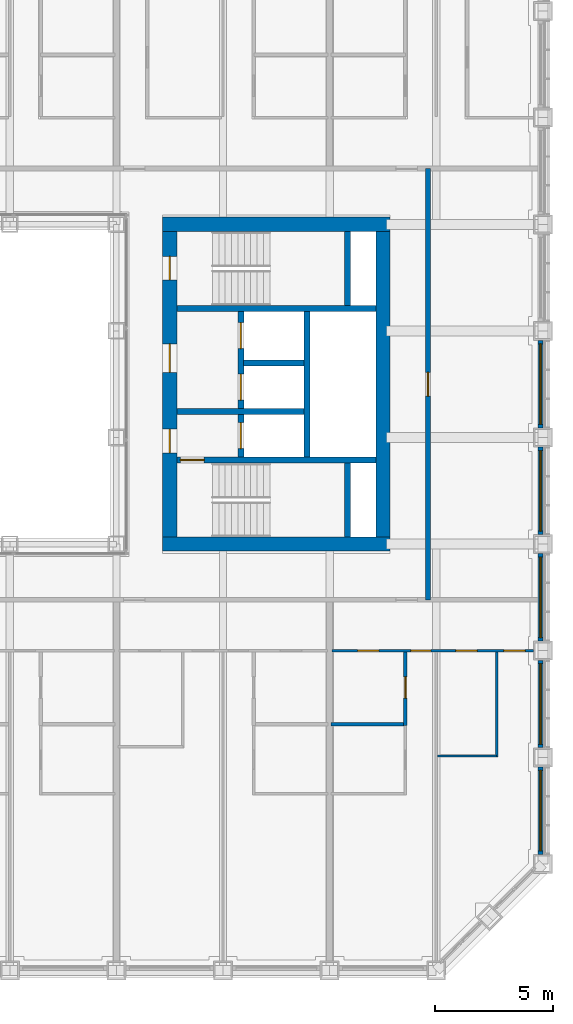
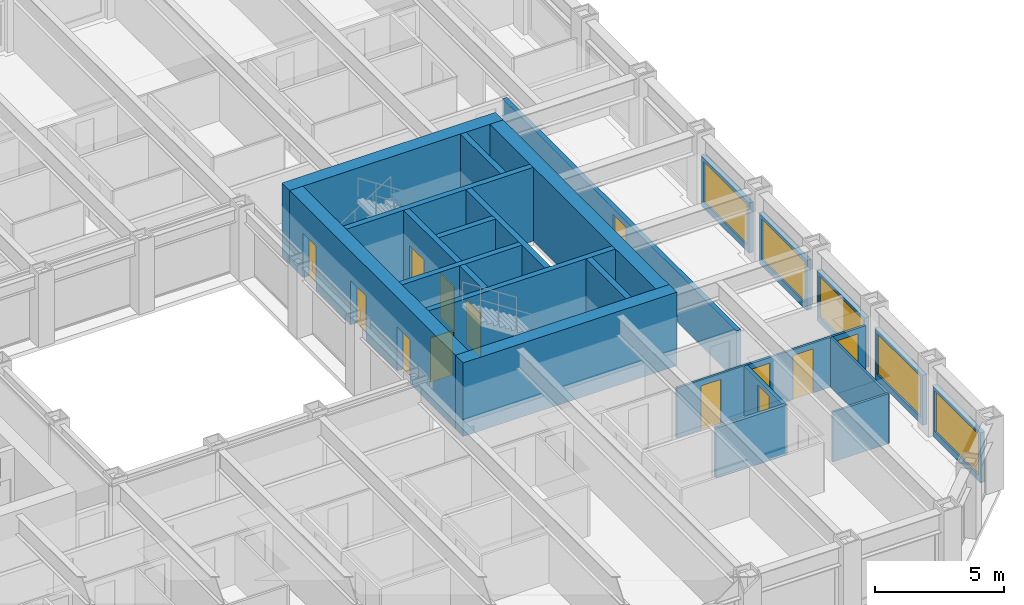
# One storey, part 12 of 21: 23 walls, 13 doors, 5 windows, 18 openings.
"""IFC4 building model written with IfcOpenShell, lengths in metres."""

from ifc_helpers import new_model, si_unit, direction, frame, frame_2d, origin, place, context, subcontext, project, spatial, rectangle, extrude, material, layer, layer_set, type_object, element, fill, save


model = new_model("IFC4")

# Units and contexts
model_context = context("Model", 3, precision=1e-05, world=origin(), true_north=direction((0.0, 1.0)))
body_context = subcontext(model_context, "Body", "Model", "MODEL_VIEW")
ifc_project = project(units=[si_unit("LENGTHUNIT", "METRE"), si_unit("AREAUNIT", "SQUARE_METRE"), si_unit("VOLUMEUNIT", "CUBIC_METRE"), si_unit("PLANEANGLEUNIT", "RADIAN"), si_unit("MASSUNIT", "GRAM", prefix="KILO")], contexts=[model_context])

# Site, building, storey
site_placement = place(None, origin())
site = spatial("IfcSite", under=ifc_project, at=site_placement, CompositionType="ELEMENT")
building_placement = place(site_placement, origin())
building = spatial("IfcBuilding", under=site, at=building_placement, Name="Msasa Ring Tower", CompositionType="ELEMENT")
storey_placement = place(building_placement, frame((0.0, 0.0, 47.5)))
storey = spatial("IfcBuildingStorey", under=building, at=storey_placement, Name="L11", CompositionType="ELEMENT", Elevation=47.5)

# Walls
ifc_material_1 = material(Name="Concrete C60/75", Category="concrete")
ifc_layer_1 = layer(ifc_material_1, 0.60009765625)
ifc_layer_set_1 = layer_set([ifc_layer_1], Name="CW1 CORE WALL 600")
wall_type_1 = type_object("IfcWallType", Name="CW1 CORE WALL 600", PredefinedType="SHEAR", material=ifc_layer_set_1)
for number, where, z_axis, x_axis, name in (
    (1, (8.699951171875, -6.75, 0.0), (0.0, 0.0, 1.0), (1.0, 0.0, 0.0), "E core wall S L11"),
    (2, (8.699951171875, 6.75, 0.0), (0.0, 0.0, 1.0), (1.0, 0.0, 0.0), "E core wall N L11"),
):
    element("IfcWall", number, at=place(storey_placement, frame(where, z_axis=z_axis, x_axis=x_axis)), inside=storey, type_object=wall_type_1, Name=name, PredefinedType="SHEAR", context=body_context, shape_type="SweptSolid", body=[
        extrude(rectangle(XDim=9.60009765625, YDim=0.60009765625, at=frame_2d((4.800048828125, 0.0))), origin(), (0.0, 0.0, 1.0), 3.5),
    ])

# Wall, openings, doors
wall_1_placement = place(storey_placement, frame((9.0, -6.449951171875, 0.0), z_axis=(0.0, 0.0, 1.0), x_axis=(0.0, 1.0, 0.0)))
wall_1 = element("IfcWall", 3, at=wall_1_placement, inside=storey, type_object=wall_type_1, Name="E core wall W L11", PredefinedType="SHEAR", context=body_context, shape_type="SweptSolid", body=[
    extrude(rectangle(XDim=12.89990234375, YDim=0.60009765625, at=frame_2d((6.449951171875, 0.0))), origin(), (0.0, 0.0, 1.0), 3.5),
])
opening_1_placement = place(wall_1_placement, frame((3.550048828125, 0.0, 0.0)))
opening_1 = element("IfcOpeningElement", 4, at=opening_1_placement, cuts=wall_1, Name="Opening RC-043", PredefinedType="OPENING", context=body_context, shape_type="SweptSolid", body=[
    extrude(rectangle(XDim=1.0, YDim=2.10009765625, at=frame_2d((0.5, 1.050048828125))), frame((0.0, 0.31005859375, 0.0), z_axis=(0.0, -1.0, 0.0), x_axis=(1.0, 0.0, 0.0)), (0.0, 0.0, 1.0), 0.6201171875),
])
opening_2_placement = place(wall_1_placement, frame((6.949951171875, 0.0, 0.0)))
opening_2 = element("IfcOpeningElement", 5, at=opening_2_placement, cuts=wall_1, Name="Opening RC-039", PredefinedType="OPENING", context=body_context, shape_type="SweptSolid", body=[
    extrude(rectangle(XDim=1.199951171875, YDim=2.10009765625, at=frame_2d((0.60009765625, 1.050048828125))), frame((0.0, 0.31005859375, 0.0), z_axis=(0.0, -1.0, 0.0), x_axis=(1.0, 0.0, 0.0)), (0.0, 0.0, 1.0), 0.6201171875),
])
opening_3_placement = place(wall_1_placement, frame((10.85009765625, 0.0, 0.0)))
opening_3 = element("IfcOpeningElement", 6, at=opening_3_placement, cuts=wall_1, Name="Opening RC-037", PredefinedType="OPENING", context=body_context, shape_type="SweptSolid", body=[
    extrude(rectangle(XDim=1.0, YDim=2.10009765625, at=frame_2d((0.5, 1.050048828125))), frame((0.0, 0.31005859375, 0.0), z_axis=(0.0, -1.0, 0.0), x_axis=(1.0, 0.0, 0.0)), (0.0, 0.0, 1.0), 0.6201171875),
])
ifc_material_2 = material(Name="Timber door leaf in a steel frame", Category="steel")
door_type_1 = type_object("IfcDoorType", Name="D4 LOBBY DOOR 1000x2100", OperationType="SINGLE_SWING_LEFT", PredefinedType="DOOR", material=ifc_material_2)
door_1_placement = place(opening_1_placement, origin())
door_1 = element("IfcDoor", 7, at=door_1_placement, inside=storey, type_object=door_type_1, Name="Door L11-EFFL", OperationType="SINGLE_SWING_LEFT", OverallHeight=2.10009765625, OverallWidth=1.0, PredefinedType="DOOR", context=body_context, shape_type="SweptSolid", body=[
    extrude(rectangle(XDim=1.0, YDim=2.10009765625, at=frame_2d((0.5, 1.050048828125))), frame((0.0, 0.02490234375, 0.0), z_axis=(0.0, -1.0, 0.0), x_axis=(1.0, 0.0, 0.0)), (0.0, 0.0, 1.0), 0.050048828125),
])
fill(opening_1, door_1)
ifc_material_3 = material(Name="Timber door leaf in a steel frame", Category="steel")
door_type_2 = type_object("IfcDoorType", Name="D5 WIDE LOBBY DOOR 1200x2100", OperationType="SINGLE_SWING_LEFT", PredefinedType="DOOR", material=ifc_material_3)
door_2_placement = place(opening_2_placement, origin())
door_2 = element("IfcDoor", 8, at=door_2_placement, inside=storey, type_object=door_type_2, Name="Door L11-ELL", OperationType="SINGLE_SWING_RIGHT", OverallHeight=2.10009765625, OverallWidth=1.199951171875, PredefinedType="DOOR", context=body_context, shape_type="SweptSolid", body=[
    extrude(rectangle(XDim=1.199951171875, YDim=2.10009765625, at=frame_2d((0.60009765625, 1.050048828125))), frame((0.0, 0.02490234375, 0.0), z_axis=(0.0, -1.0, 0.0), x_axis=(1.0, 0.0, 0.0)), (0.0, 0.0, 1.0), 0.050048828125),
])
fill(opening_2, door_2)
ifc_material_4 = material(Name="Timber door leaf in a steel frame", Category="steel")
door_type_3 = type_object("IfcDoorType", Name="D6 STAIR DOOR 1000x2100", OperationType="SINGLE_SWING_LEFT", PredefinedType="DOOR", material=ifc_material_4)
door_3_placement = place(opening_3_placement, origin())
door_3 = element("IfcDoor", 9, at=door_3_placement, inside=storey, type_object=door_type_3, Name="Door L11-ESTB", OperationType="SINGLE_SWING_RIGHT", OverallHeight=2.10009765625, OverallWidth=1.0, PredefinedType="DOOR", context=body_context, shape_type="SweptSolid", body=[
    extrude(rectangle(XDim=1.0, YDim=2.10009765625, at=frame_2d((0.5, 1.050048828125))), frame((0.0, 0.02490234375, 0.0), z_axis=(0.0, -1.0, 0.0), x_axis=(1.0, 0.0, 0.0)), (0.0, 0.0, 1.0), 0.050048828125),
])
fill(opening_3, door_3)

# Wall
wall_2_placement = place(storey_placement, frame((18.0, -6.449951171875, 0.0), z_axis=(0.0, 0.0, 1.0), x_axis=(0.0, 1.0, 0.0)))
element("IfcWall", 10, at=wall_2_placement, inside=storey, type_object=wall_type_1, Name="E core wall E L11", PredefinedType="SHEAR", context=body_context, shape_type="SweptSolid", body=[
    extrude(rectangle(XDim=12.89990234375, YDim=0.60009765625, at=frame_2d((6.449951171875, 0.0))), origin(), (0.0, 0.0, 1.0), 3.5),
])

# Wall, opening, door
ifc_material_5 = material(Name="Concrete C60/75", Category="concrete")
ifc_layer_2 = layer(ifc_material_5, 0.25)
ifc_layer_set_2 = layer_set([ifc_layer_2], Name="CW4 CORE INNER WALL 250")
wall_type_2 = type_object("IfcWallType", Name="CW4 CORE INNER WALL 250", PredefinedType="SHEAR", material=ifc_layer_set_2)
wall_3_placement = place(storey_placement, frame((9.300048828125, -3.199951171875, 0.0), z_axis=(0.0, 0.0, 1.0), x_axis=(1.0, 0.0, 0.0)))
wall_3 = element("IfcWall", 11, at=wall_3_placement, inside=storey, type_object=wall_type_2, Name="E core wall STAIRA L11", PredefinedType="SHEAR", context=body_context, shape_type="SweptSolid", body=[
    extrude(rectangle(XDim=8.39990234375, YDim=0.25, at=frame_2d((4.199951171875, 0.0))), origin(), (0.0, 0.0, 1.0), 3.5),
])
opening_4_placement = place(wall_3_placement, frame((0.14990234375, 0.0, 0.0)))
opening_4 = element("IfcOpeningElement", 12, at=opening_4_placement, cuts=wall_3, Name="Opening RC-045", PredefinedType="OPENING", context=body_context, shape_type="SweptSolid", body=[
    extrude(rectangle(XDim=1.0, YDim=2.10009765625, at=frame_2d((0.5, 1.050048828125))), frame((0.0, 0.135009765625, 0.0), z_axis=(0.0, -1.0, 0.0), x_axis=(1.0, 0.0, 0.0)), (0.0, 0.0, 1.0), 0.27001953125),
])
door_4_placement = place(opening_4_placement, origin())
door_4 = element("IfcDoor", 13, at=door_4_placement, inside=storey, type_object=door_type_3, Name="Door L11-ESTA", OperationType="SINGLE_SWING_LEFT", OverallHeight=2.10009765625, OverallWidth=1.0, PredefinedType="DOOR", context=body_context, shape_type="SweptSolid", body=[
    extrude(rectangle(XDim=1.0, YDim=2.10009765625, at=frame_2d((0.5, 1.050048828125))), frame((0.0, 0.02490234375, 0.0), z_axis=(0.0, -1.0, 0.0), x_axis=(1.0, 0.0, 0.0)), (0.0, 0.0, 1.0), 0.050048828125),
])
fill(opening_4, door_4)

# Walls
wall_4_placement = place(storey_placement, frame((9.300048828125, 3.199951171875, 0.0), z_axis=(0.0, 0.0, 1.0), x_axis=(1.0, 0.0, 0.0)))
element("IfcWall", 14, at=wall_4_placement, inside=storey, type_object=wall_type_2, Name="E core wall STAIRB L11", PredefinedType="SHEAR", context=body_context, shape_type="SweptSolid", body=[
    extrude(rectangle(XDim=8.39990234375, YDim=0.25, at=frame_2d((4.199951171875, 0.0))), origin(), (0.0, 0.0, 1.0), 3.5),
])
for number, where, z_axis, x_axis, name in (
    (15, (16.5, -6.449951171875, 0.0), (0.0, 0.0, 1.0), (0.0, 1.0, 0.0), "E core wall RISERA L11"),
    (16, (16.5, 3.324951171875, 0.0), (0.0, 0.0, 1.0), (0.0, 1.0, 0.0), "E core wall RISERB L11"),
):
    element("IfcWall", number, at=place(storey_placement, frame(where, z_axis=z_axis, x_axis=x_axis)), inside=storey, type_object=wall_type_2, Name=name, PredefinedType="SHEAR", context=body_context, shape_type="SweptSolid", body=[
        extrude(rectangle(XDim=3.125, YDim=0.25, at=frame_2d((1.5625, 0.0))), origin(), (0.0, 0.0, 1.0), 3.5),
    ])
wall_5_placement = place(storey_placement, frame((9.300048828125, -1.14990234375, 0.0), z_axis=(0.0, 0.0, 1.0), x_axis=(1.0, 0.0, 0.0)))
element("IfcWall", 17, at=wall_5_placement, inside=storey, type_object=wall_type_2, Name="E core wall FFL L11", PredefinedType="SHEAR", context=body_context, shape_type="SweptSolid", body=[
    extrude(rectangle(XDim=5.375, YDim=0.25, at=frame_2d((2.6875, 0.0))), origin(), (0.0, 0.0, 1.0), 3.5),
])

# Wall, openings, doors
wall_6_placement = place(storey_placement, frame((12.0, -3.074951171875, 0.0), z_axis=(0.0, 0.0, 1.0), x_axis=(0.0, 1.0, 0.0)))
wall_6 = element("IfcWall", 18, at=wall_6_placement, inside=storey, type_object=wall_type_2, Name="E core wall LOBBY L11", PredefinedType="SHEAR", context=body_context, shape_type="SweptSolid", body=[
    extrude(rectangle(XDim=6.14990234375, YDim=0.25, at=frame_2d((3.074951171875, 0.0))), origin(), (0.0, 0.0, 1.0), 3.5),
])
opening_5_placement = place(wall_6_placement, frame((0.35009765625, 0.0, 0.0)))
opening_5 = element("IfcOpeningElement", 19, at=opening_5_placement, cuts=wall_6, Name="Opening LD1", PredefinedType="OPENING", context=body_context, shape_type="SweptSolid", body=[
    extrude(rectangle(XDim=1.10009765625, YDim=2.10009765625, at=frame_2d((0.550048828125, 1.050048828125))), frame((0.0, 0.135009765625, 0.0), z_axis=(0.0, -1.0, 0.0), x_axis=(1.0, 0.0, 0.0)), (0.0, 0.0, 1.0), 0.27001953125),
])
opening_6_placement = place(wall_6_placement, frame((2.39990234375, 0.0, 0.0)))
opening_6 = element("IfcOpeningElement", 20, at=opening_6_placement, cuts=wall_6, Name="Opening LD1", PredefinedType="OPENING", context=body_context, shape_type="SweptSolid", body=[
    extrude(rectangle(XDim=1.10009765625, YDim=2.10009765625, at=frame_2d((0.550048828125, 1.050048828125))), frame((0.0, 0.135009765625, 0.0), z_axis=(0.0, -1.0, 0.0), x_axis=(1.0, 0.0, 0.0)), (0.0, 0.0, 1.0), 0.27001953125),
])
opening_7_placement = place(wall_6_placement, frame((4.574951171875, 0.0, 0.0)))
opening_7 = element("IfcOpeningElement", 21, at=opening_7_placement, cuts=wall_6, Name="Opening LD1", PredefinedType="OPENING", context=body_context, shape_type="SweptSolid", body=[
    extrude(rectangle(XDim=1.10009765625, YDim=2.10009765625, at=frame_2d((0.550048828125, 1.050048828125))), frame((0.0, 0.135009765625, 0.0), z_axis=(0.0, -1.0, 0.0), x_axis=(1.0, 0.0, 0.0)), (0.0, 0.0, 1.0), 0.27001953125),
])
ifc_material_6 = material(Name="Stainless steel lift landing door", Category="steel")
door_type_4 = type_object("IfcDoorType", Name="LD1 LIFT LANDING DOOR 1100x2100", OperationType="DOUBLE_DOOR_SLIDING", PredefinedType="DOOR", material=ifc_material_6)
door_5_placement = place(opening_5_placement, origin())
door_5 = element("IfcDoor", 22, at=door_5_placement, inside=storey, type_object=door_type_4, Name="Lift landing door FL-E L11", OperationType="DOUBLE_DOOR_SLIDING", OverallHeight=2.10009765625, OverallWidth=1.10009765625, PredefinedType="DOOR", context=body_context, shape_type="SweptSolid", body=[
    extrude(rectangle(XDim=1.10009765625, YDim=2.10009765625, at=frame_2d((0.550048828125, 1.050048828125))), frame((0.0, 0.02490234375, 0.0), z_axis=(0.0, -1.0, 0.0), x_axis=(1.0, 0.0, 0.0)), (0.0, 0.0, 1.0), 0.050048828125),
])
fill(opening_5, door_5)
door_6_placement = place(opening_6_placement, origin())
door_6 = element("IfcDoor", 23, at=door_6_placement, inside=storey, type_object=door_type_4, Name="Lift landing door PL-R1 L11", OperationType="DOUBLE_DOOR_SLIDING", OverallHeight=2.10009765625, OverallWidth=1.10009765625, PredefinedType="DOOR", context=body_context, shape_type="SweptSolid", body=[
    extrude(rectangle(XDim=1.10009765625, YDim=2.10009765625, at=frame_2d((0.550048828125, 1.050048828125))), frame((0.0, 0.02490234375, 0.0), z_axis=(0.0, -1.0, 0.0), x_axis=(1.0, 0.0, 0.0)), (0.0, 0.0, 1.0), 0.050048828125),
])
fill(opening_6, door_6)
door_7_placement = place(opening_7_placement, origin())
door_7 = element("IfcDoor", 24, at=door_7_placement, inside=storey, type_object=door_type_4, Name="Lift landing door PL-R2 L11", OperationType="DOUBLE_DOOR_SLIDING", OverallHeight=2.10009765625, OverallWidth=1.10009765625, PredefinedType="DOOR", context=body_context, shape_type="SweptSolid", body=[
    extrude(rectangle(XDim=1.10009765625, YDim=2.10009765625, at=frame_2d((0.550048828125, 1.050048828125))), frame((0.0, 0.02490234375, 0.0), z_axis=(0.0, -1.0, 0.0), x_axis=(1.0, 0.0, 0.0)), (0.0, 0.0, 1.0), 0.050048828125),
])
fill(opening_7, door_7)

# Walls
wall_7_placement = place(storey_placement, frame((14.800048828125, -3.074951171875, 0.0), z_axis=(0.0, 0.0, 1.0), x_axis=(0.0, 1.0, 0.0)))
element("IfcWall", 25, at=wall_7_placement, inside=storey, type_object=wall_type_2, Name="E core wall SHAFT L11", PredefinedType="SHEAR", context=body_context, shape_type="SweptSolid", body=[
    extrude(rectangle(XDim=6.14990234375, YDim=0.25, at=frame_2d((3.074951171875, 0.0))), origin(), (0.0, 0.0, 1.0), 3.5),
])
wall_8_placement = place(storey_placement, frame((12.125, 0.89990234375, 0.0), z_axis=(0.0, 0.0, 1.0), x_axis=(1.0, 0.0, 0.0)))
element("IfcWall", 26, at=wall_8_placement, inside=storey, type_object=wall_type_2, Name="E core wall LIFT1 L11", PredefinedType="SHEAR", context=body_context, shape_type="SweptSolid", body=[
    extrude(rectangle(XDim=2.550048828125, YDim=0.25, at=frame_2d((1.27490234375, 0.0))), origin(), (0.0, 0.0, 1.0), 3.5),
])

# Wall, opening, window
ifc_material_7 = material(Name="Terracotta rainscreen on blockwork", Category="masonry")
ifc_layer_3 = layer(ifc_material_7, 0.199951171875)
ifc_layer_set_3 = layer_set([ifc_layer_3], Name="FW1 TERRACOTTA-LINED INFILL BAY WALL 200")
wall_type_3 = type_object("IfcWallType", Name="FW1 TERRACOTTA-LINED INFILL BAY WALL 200", PredefinedType="SOLIDWALL", material=ifc_layer_set_3)
wall_9_placement = place(storey_placement, frame((24.64990234375, -19.844970703125, 0.0), z_axis=(0.0, 0.0, 1.0), x_axis=(0.0, 1.0, 0.0)))
wall_9 = element("IfcWall", 27, at=wall_9_placement, inside=storey, type_object=wall_type_3, Name="Infill bay wall E L11 11", PredefinedType="SOLIDWALL", context=body_context, shape_type="SweptSolid", body=[
    extrude(rectangle(XDim=3.68994140625, YDim=0.199951171875, at=frame_2d((1.844970703125, 0.0))), origin(), (0.0, 0.0, 1.0), 2.37890625),
])
opening_8_placement = place(wall_9_placement, frame((0.14501953125, 0.0, 0.300048828125)))
opening_8 = element("IfcOpeningElement", 28, at=opening_8_placement, cuts=wall_9, Name="Opening WN1", PredefinedType="OPENING", context=body_context, shape_type="SweptSolid", body=[
    extrude(rectangle(XDim=3.39990234375, YDim=1.928955078125, at=frame_2d((1.699951171875, 0.96435546875))), frame((0.0, 0.10986328125, 0.0), z_axis=(0.0, -1.0, 0.0), x_axis=(1.0, 0.0, 0.0)), (0.0, 0.0, 1.0), 0.219970703125),
])
ifc_material_8 = material(Name="Aluminium frame with clear glass", Category="aluminium")
window_type = type_object("IfcWindowType", Name="WN1 RESIDENCE WINDOW 3400x1929", PartitioningType="SINGLE_PANEL", PredefinedType="WINDOW", material=ifc_material_8)
window_1_placement = place(opening_8_placement, origin())
window_1 = element("IfcWindow", 29, at=window_1_placement, inside=storey, type_object=window_type, Name="Window E L11 11", OverallHeight=1.928955078125, OverallWidth=3.39990234375, PartitioningType="SINGLE_PANEL", PredefinedType="WINDOW", context=body_context, shape_type="SweptSolid", body=[
    extrude(rectangle(XDim=3.39990234375, YDim=1.928955078125, at=frame_2d((1.699951171875, 0.96435546875))), frame((0.0, 0.030029296875, 0.0), z_axis=(0.0, -1.0, 0.0), x_axis=(1.0, 0.0, 0.0)), (0.0, 0.0, 1.0), 0.06005859375),
])
fill(opening_8, window_1)

wall_10_placement = place(storey_placement, frame((24.64990234375, -15.344970703125, 0.0), z_axis=(0.0, 0.0, 1.0), x_axis=(0.0, 1.0, 0.0)))
wall_10 = element("IfcWall", 30, at=wall_10_placement, inside=storey, type_object=wall_type_3, Name="Infill bay wall E L11 12", PredefinedType="SOLIDWALL", context=body_context, shape_type="SweptSolid", body=[
    extrude(rectangle(XDim=3.68994140625, YDim=0.199951171875, at=frame_2d((1.844970703125, 0.0))), origin(), (0.0, 0.0, 1.0), 2.37890625),
])
opening_9_placement = place(wall_10_placement, frame((0.14501953125, 0.0, 0.300048828125)))
opening_9 = element("IfcOpeningElement", 31, at=opening_9_placement, cuts=wall_10, Name="Opening WN1", PredefinedType="OPENING", context=body_context, shape_type="SweptSolid", body=[
    extrude(rectangle(XDim=3.39990234375, YDim=1.928955078125, at=frame_2d((1.699951171875, 0.96435546875))), frame((0.0, 0.10986328125, 0.0), z_axis=(0.0, -1.0, 0.0), x_axis=(1.0, 0.0, 0.0)), (0.0, 0.0, 1.0), 0.219970703125),
])
window_2_placement = place(opening_9_placement, origin())
window_2 = element("IfcWindow", 32, at=window_2_placement, inside=storey, type_object=window_type, Name="Window E L11 12", OverallHeight=1.928955078125, OverallWidth=3.39990234375, PartitioningType="SINGLE_PANEL", PredefinedType="WINDOW", context=body_context, shape_type="SweptSolid", body=[
    extrude(rectangle(XDim=3.39990234375, YDim=1.928955078125, at=frame_2d((1.699951171875, 0.96435546875))), frame((0.0, 0.030029296875, 0.0), z_axis=(0.0, -1.0, 0.0), x_axis=(1.0, 0.0, 0.0)), (0.0, 0.0, 1.0), 0.06005859375),
])
fill(opening_9, window_2)

wall_11_placement = place(storey_placement, frame((24.64990234375, -10.844970703125, 0.0), z_axis=(0.0, 0.0, 1.0), x_axis=(0.0, 1.0, 0.0)))
wall_11 = element("IfcWall", 33, at=wall_11_placement, inside=storey, type_object=wall_type_3, Name="Infill bay wall E L11 13", PredefinedType="SOLIDWALL", context=body_context, shape_type="SweptSolid", body=[
    extrude(rectangle(XDim=3.68994140625, YDim=0.199951171875, at=frame_2d((1.844970703125, 0.0))), origin(), (0.0, 0.0, 1.0), 2.37890625),
])
opening_10_placement = place(wall_11_placement, frame((0.14501953125, 0.0, 0.300048828125)))
opening_10 = element("IfcOpeningElement", 34, at=opening_10_placement, cuts=wall_11, Name="Opening WN1", PredefinedType="OPENING", context=body_context, shape_type="SweptSolid", body=[
    extrude(rectangle(XDim=3.39990234375, YDim=1.928955078125, at=frame_2d((1.699951171875, 0.96435546875))), frame((0.0, 0.10986328125, 0.0), z_axis=(0.0, -1.0, 0.0), x_axis=(1.0, 0.0, 0.0)), (0.0, 0.0, 1.0), 0.219970703125),
])
window_3_placement = place(opening_10_placement, origin())
window_3 = element("IfcWindow", 35, at=window_3_placement, inside=storey, type_object=window_type, Name="Window E L11 13", OverallHeight=1.928955078125, OverallWidth=3.39990234375, PartitioningType="SINGLE_PANEL", PredefinedType="WINDOW", context=body_context, shape_type="SweptSolid", body=[
    extrude(rectangle(XDim=3.39990234375, YDim=1.928955078125, at=frame_2d((1.699951171875, 0.96435546875))), frame((0.0, 0.030029296875, 0.0), z_axis=(0.0, -1.0, 0.0), x_axis=(1.0, 0.0, 0.0)), (0.0, 0.0, 1.0), 0.06005859375),
])
fill(opening_10, window_3)

wall_12_placement = place(storey_placement, frame((24.64990234375, -6.344970703125, 0.0), z_axis=(0.0, 0.0, 1.0), x_axis=(0.0, 1.0, 0.0)))
wall_12 = element("IfcWall", 36, at=wall_12_placement, inside=storey, type_object=wall_type_3, Name="Infill bay wall E L11 14", PredefinedType="SOLIDWALL", context=body_context, shape_type="SweptSolid", body=[
    extrude(rectangle(XDim=3.68994140625, YDim=0.199951171875, at=frame_2d((1.844970703125, 0.0))), origin(), (0.0, 0.0, 1.0), 2.37890625),
])
opening_11_placement = place(wall_12_placement, frame((0.14501953125, 0.0, 0.300048828125)))
opening_11 = element("IfcOpeningElement", 37, at=opening_11_placement, cuts=wall_12, Name="Opening WN1", PredefinedType="OPENING", context=body_context, shape_type="SweptSolid", body=[
    extrude(rectangle(XDim=3.39990234375, YDim=1.928955078125, at=frame_2d((1.699951171875, 0.96435546875))), frame((0.0, 0.10986328125, 0.0), z_axis=(0.0, -1.0, 0.0), x_axis=(1.0, 0.0, 0.0)), (0.0, 0.0, 1.0), 0.219970703125),
])
window_4_placement = place(opening_11_placement, origin())
window_4 = element("IfcWindow", 38, at=window_4_placement, inside=storey, type_object=window_type, Name="Window E L11 14", OverallHeight=1.928955078125, OverallWidth=3.39990234375, PartitioningType="SINGLE_PANEL", PredefinedType="WINDOW", context=body_context, shape_type="SweptSolid", body=[
    extrude(rectangle(XDim=3.39990234375, YDim=1.928955078125, at=frame_2d((1.699951171875, 0.96435546875))), frame((0.0, 0.030029296875, 0.0), z_axis=(0.0, -1.0, 0.0), x_axis=(1.0, 0.0, 0.0)), (0.0, 0.0, 1.0), 0.06005859375),
])
fill(opening_11, window_4)

wall_13_placement = place(storey_placement, frame((24.64990234375, -1.844970703125, 0.0), z_axis=(0.0, 0.0, 1.0), x_axis=(0.0, 1.0, 0.0)))
wall_13 = element("IfcWall", 39, at=wall_13_placement, inside=storey, type_object=wall_type_3, Name="Infill bay wall E L11 15", PredefinedType="SOLIDWALL", context=body_context, shape_type="SweptSolid", body=[
    extrude(rectangle(XDim=3.68994140625, YDim=0.199951171875, at=frame_2d((1.844970703125, 0.0))), origin(), (0.0, 0.0, 1.0), 2.37890625),
])
opening_12_placement = place(wall_13_placement, frame((0.14501953125, 0.0, 0.300048828125)))
opening_12 = element("IfcOpeningElement", 40, at=opening_12_placement, cuts=wall_13, Name="Opening WN1", PredefinedType="OPENING", context=body_context, shape_type="SweptSolid", body=[
    extrude(rectangle(XDim=3.39990234375, YDim=1.928955078125, at=frame_2d((1.699951171875, 0.96435546875))), frame((0.0, 0.10986328125, 0.0), z_axis=(0.0, -1.0, 0.0), x_axis=(1.0, 0.0, 0.0)), (0.0, 0.0, 1.0), 0.219970703125),
])
window_5_placement = place(opening_12_placement, origin())
window_5 = element("IfcWindow", 41, at=window_5_placement, inside=storey, type_object=window_type, Name="Window E L11 15", OverallHeight=1.928955078125, OverallWidth=3.39990234375, PartitioningType="SINGLE_PANEL", PredefinedType="WINDOW", context=body_context, shape_type="SweptSolid", body=[
    extrude(rectangle(XDim=3.39990234375, YDim=1.928955078125, at=frame_2d((1.699951171875, 0.96435546875))), frame((0.0, 0.030029296875, 0.0), z_axis=(0.0, -1.0, 0.0), x_axis=(1.0, 0.0, 0.0)), (0.0, 0.0, 1.0), 0.06005859375),
])
fill(opening_12, window_5)

# Wall, opening, door
ifc_material_9 = material(Name="Concrete blockwork", Category="masonry")
ifc_layer_4 = layer(ifc_material_9, 0.199951171875)
ifc_layer_set_4 = layer_set([ifc_layer_4], Name="PT1 CORRIDOR WALL 200")
wall_type_4 = type_object("IfcWallType", Name="PT1 CORRIDOR WALL 200", PredefinedType="PARTITIONING", material=ifc_layer_set_4)
wall_14_placement = place(storey_placement, frame((19.89990234375, -9.10009765625, 0.0), z_axis=(0.0, 0.0, 1.0), x_axis=(0.0, 1.0, 0.0)))
wall_14 = element("IfcWall", 42, at=wall_14_placement, inside=storey, type_object=wall_type_4, Name="Corridor wall L11-STRE", PredefinedType="PARTITIONING", context=body_context, shape_type="SweptSolid", body=[
    extrude(rectangle(XDim=18.2001953125, YDim=0.199951171875, at=frame_2d((9.10009765625, 0.0))), origin(), (0.0, 0.0, 1.0), 2.373291015625),
])
opening_13_placement = place(wall_14_placement, frame((8.60009765625, 0.0, 0.0)))
opening_13 = element("IfcOpeningElement", 43, at=opening_13_placement, cuts=wall_14, Name="Opening RC-040", PredefinedType="OPENING", context=body_context, shape_type="SweptSolid", body=[
    extrude(rectangle(XDim=1.0, YDim=2.10009765625, at=frame_2d((0.5, 1.050048828125))), frame((0.0, 0.10986328125, 0.0), z_axis=(0.0, -1.0, 0.0), x_axis=(1.0, 0.0, 0.0)), (0.0, 0.0, 1.0), 0.219970703125),
])
ifc_material_10 = material(Name="Timber door leaf in a steel frame", Category="steel")
door_type_5 = type_object("IfcDoorType", Name="D10 STORE DOOR 1000x2100", OperationType="SINGLE_SWING_LEFT", PredefinedType="DOOR", material=ifc_material_10)
door_8_placement = place(opening_13_placement, origin())
door_8 = element("IfcDoor", 44, at=door_8_placement, inside=storey, type_object=door_type_5, Name="Door L11-RSE", OperationType="SINGLE_SWING_LEFT", OverallHeight=2.10009765625, OverallWidth=1.0, PredefinedType="DOOR", context=body_context, shape_type="SweptSolid", body=[
    extrude(rectangle(XDim=1.0, YDim=2.10009765625, at=frame_2d((0.5, 1.050048828125))), frame((0.0, 0.02490234375, 0.0), z_axis=(0.0, -1.0, 0.0), x_axis=(1.0, 0.0, 0.0)), (0.0, 0.0, 1.0), 0.050048828125),
])
fill(opening_13, door_8)

# Wall, openings, doors
ifc_material_11 = material(Name="Gypsum board on steel studs", Category="steel")
ifc_layer_5 = layer(ifc_material_11, 0.10009765625)
ifc_layer_set_5 = layer_set([ifc_layer_5], Name="PT2 STUD PARTITION 100")
wall_type_5 = type_object("IfcWallType", Name="PT2 STUD PARTITION 100", PredefinedType="PARTITIONING", material=ifc_layer_set_5)
wall_15_placement = place(storey_placement, frame((15.85009765625, -11.25, 0.0), z_axis=(0.0, 0.0, 1.0), x_axis=(1.0, 0.0, 0.0)))
wall_15 = element("IfcWall", 45, at=wall_15_placement, inside=storey, type_object=wall_type_5, Name="Partition L11-US04HY", PredefinedType="PARTITIONING", context=body_context, shape_type="SweptSolid", body=[
    extrude(rectangle(XDim=8.5, YDim=0.10009765625, at=frame_2d((4.25, 0.0))), origin(), (0.0, 0.0, 1.0), 2.373291015625),
])
opening_14_placement = place(wall_15_placement, frame((5.22509765625, 0.0, 0.0)))
opening_14 = element("IfcOpeningElement", 46, at=opening_14_placement, cuts=wall_15, Name="Opening RC-072", PredefinedType="OPENING", context=body_context, shape_type="SweptSolid", body=[
    extrude(rectangle(XDim=0.89990234375, YDim=2.10009765625, at=frame_2d((0.449951171875, 1.050048828125))), frame((0.0, 0.06005859375, 0.0), z_axis=(0.0, -1.0, 0.0), x_axis=(1.0, 0.0, 0.0)), (0.0, 0.0, 1.0), 0.1201171875),
])
opening_15_placement = place(wall_15_placement, frame((7.25, 0.0, 0.0)))
opening_15 = element("IfcOpeningElement", 47, at=opening_15_placement, cuts=wall_15, Name="Opening RC-073", PredefinedType="OPENING", context=body_context, shape_type="SweptSolid", body=[
    extrude(rectangle(XDim=0.89990234375, YDim=2.10009765625, at=frame_2d((0.449951171875, 1.050048828125))), frame((0.0, 0.06005859375, 0.0), z_axis=(0.0, -1.0, 0.0), x_axis=(1.0, 0.0, 0.0)), (0.0, 0.0, 1.0), 0.1201171875),
])
opening_16_placement = place(wall_15_placement, frame((3.324951171875, 0.0, 0.0)))
opening_16 = element("IfcOpeningElement", 48, at=opening_16_placement, cuts=wall_15, Name="Opening RC-071", PredefinedType="OPENING", context=body_context, shape_type="SweptSolid", body=[
    extrude(rectangle(XDim=0.85009765625, YDim=2.10009765625, at=frame_2d((0.425048828125, 1.050048828125))), frame((0.0, 0.06005859375, 0.0), z_axis=(0.0, -1.0, 0.0), x_axis=(1.0, 0.0, 0.0)), (0.0, 0.0, 1.0), 0.1201171875),
])
opening_17_placement = place(wall_15_placement, frame((1.080078125, 0.0, 0.0)))
opening_17 = element("IfcOpeningElement", 49, at=opening_17_placement, cuts=wall_15, Name="Opening RC-070", PredefinedType="OPENING", context=body_context, shape_type="SweptSolid", body=[
    extrude(rectangle(XDim=0.89990234375, YDim=2.10009765625, at=frame_2d((0.449951171875, 1.050048828125))), frame((0.0, 0.06005859375, 0.0), z_axis=(0.0, -1.0, 0.0), x_axis=(1.0, 0.0, 0.0)), (0.0, 0.0, 1.0), 0.1201171875),
])
ifc_material_12 = material(Name="Timber door leaf in a steel frame", Category="steel")
door_type_6 = type_object("IfcDoorType", Name="D14 BEDROOM DOOR 850x2100", OperationType="SINGLE_SWING_LEFT", PredefinedType="DOOR", material=ifc_material_12)
door_9_placement = place(opening_16_placement, origin())
door_9 = element("IfcDoor", 50, at=door_9_placement, inside=storey, type_object=door_type_6, Name="Door L11-US04R1", OperationType="SINGLE_SWING_LEFT", OverallHeight=2.10009765625, OverallWidth=0.85009765625, PredefinedType="DOOR", context=body_context, shape_type="SweptSolid", body=[
    extrude(rectangle(XDim=0.85009765625, YDim=2.10009765625, at=frame_2d((0.425048828125, 1.050048828125))), frame((0.0, 0.02490234375, 0.0), z_axis=(0.0, -1.0, 0.0), x_axis=(1.0, 0.0, 0.0)), (0.0, 0.0, 1.0), 0.050048828125),
])
fill(opening_16, door_9)
ifc_material_13 = material(Name="Timber door leaf in a steel frame", Category="steel")
door_type_7 = type_object("IfcDoorType", Name="D22 INTERNAL HALL DOOR 900x2100", OperationType="SINGLE_SWING_LEFT", PredefinedType="DOOR", material=ifc_material_13)
door_10_placement = place(opening_14_placement, origin())
door_10 = element("IfcDoor", 51, at=door_10_placement, inside=storey, type_object=door_type_7, Name="Door L11-US04K", OperationType="SINGLE_SWING_RIGHT", OverallHeight=2.10009765625, OverallWidth=0.89990234375, PredefinedType="DOOR", context=body_context, shape_type="SweptSolid", body=[
    extrude(rectangle(XDim=0.89990234375, YDim=2.10009765625, at=frame_2d((0.449951171875, 1.050048828125))), frame((0.0, 0.02490234375, 0.0), z_axis=(0.0, -1.0, 0.0), x_axis=(1.0, 0.0, 0.0)), (0.0, 0.0, 1.0), 0.050048828125),
])
fill(opening_14, door_10)
door_11_placement = place(opening_15_placement, origin())
door_11 = element("IfcDoor", 52, at=door_11_placement, inside=storey, type_object=door_type_7, Name="Door L11-US04L", OperationType="SINGLE_SWING_RIGHT", OverallHeight=2.10009765625, OverallWidth=0.89990234375, PredefinedType="DOOR", context=body_context, shape_type="SweptSolid", body=[
    extrude(rectangle(XDim=0.89990234375, YDim=2.10009765625, at=frame_2d((0.449951171875, 1.050048828125))), frame((0.0, 0.02490234375, 0.0), z_axis=(0.0, -1.0, 0.0), x_axis=(1.0, 0.0, 0.0)), (0.0, 0.0, 1.0), 0.050048828125),
])
fill(opening_15, door_11)
ifc_material_14 = material(Name="Timber door leaf in a steel frame", Category="steel")
door_type_8 = type_object("IfcDoorType", Name="D3 BATHROOM DOOR 900x2100", OperationType="SINGLE_SWING_LEFT", PredefinedType="DOOR", material=ifc_material_14)
door_12_placement = place(opening_17_placement, origin())
door_12 = element("IfcDoor", 53, at=door_12_placement, inside=storey, type_object=door_type_8, Name="Door L11-US04BH1", OperationType="SINGLE_SWING_LEFT", OverallHeight=2.10009765625, OverallWidth=0.89990234375, PredefinedType="DOOR", context=body_context, shape_type="SweptSolid", body=[
    extrude(rectangle(XDim=0.89990234375, YDim=2.10009765625, at=frame_2d((0.449951171875, 1.050048828125))), frame((0.0, 0.02490234375, 0.0), z_axis=(0.0, -1.0, 0.0), x_axis=(1.0, 0.0, 0.0)), (0.0, 0.0, 1.0), 0.050048828125),
])
fill(opening_17, door_12)

# Walls
wall_16_placement = place(storey_placement, frame((22.800048828125, -15.7421875, 0.0), z_axis=(0.0, 0.0, 1.0), x_axis=(0.0, 1.0, 0.0)))
element("IfcWall", 54, at=wall_16_placement, inside=storey, type_object=wall_type_5, Name="Partition L11-US04KX", PredefinedType="PARTITIONING", context=body_context, shape_type="SweptSolid", body=[
    extrude(rectangle(XDim=4.442138671875, YDim=0.10009765625, at=frame_2d((2.22119140625, 0.0))), origin(), (0.0, 0.0, 1.0), 2.373291015625),
])
wall_17_placement = place(storey_placement, frame((20.300048828125, -15.692138671875, 0.0), z_axis=(0.0, 0.0, 1.0), x_axis=(1.0, 0.0, 0.0)))
element("IfcWall", 55, at=wall_17_placement, inside=storey, type_object=wall_type_5, Name="Partition L11-US04KY", PredefinedType="PARTITIONING", context=body_context, shape_type="SweptSolid", body=[
    extrude(rectangle(XDim=2.5, YDim=0.10009765625, at=frame_2d((1.25, 0.0))), origin(), (0.0, 0.0, 1.0), 2.373291015625),
])

# Wall, opening, door
ifc_material_15 = material(Name="Moisture-resistant board on steel studs with a concealed cistern and pipe void, tiled", Category="steel")
ifc_layer_6 = layer(ifc_material_15, 0.14990234375)
ifc_layer_set_6 = layer_set([ifc_layer_6], Name="PT4 BATHROOM WET WALL 150")
wall_type_6 = type_object("IfcWallType", Name="PT4 BATHROOM WET WALL 150", PredefinedType="PARTITIONING", material=ifc_layer_set_6)
wall_18_placement = place(storey_placement, frame((18.949951171875, -14.39990234375, 0.0), z_axis=(0.0, 0.0, 1.0), x_axis=(0.0, 1.0, 0.0)))
wall_18 = element("IfcWall", 56, at=wall_18_placement, inside=storey, type_object=wall_type_6, Name="Partition L11-US04BX1", PredefinedType="PARTITIONING", context=body_context, shape_type="SweptSolid", body=[
    extrude(rectangle(XDim=3.099853515625, YDim=0.14990234375, at=frame_2d((1.5498046875, 0.0))), origin(), (0.0, 0.0, 1.0), 2.373291015625),
])
opening_18_placement = place(wall_18_placement, frame((1.14990234375, 0.0, 0.0)))
opening_18 = element("IfcOpeningElement", 57, at=opening_18_placement, cuts=wall_18, Name="Opening RC-079", PredefinedType="OPENING", context=body_context, shape_type="SweptSolid", body=[
    extrude(rectangle(XDim=0.89990234375, YDim=2.10009765625, at=frame_2d((0.449951171875, 1.050048828125))), frame((0.0, 0.0849609375, 0.0), z_axis=(0.0, -1.0, 0.0), x_axis=(1.0, 0.0, 0.0)), (0.0, 0.0, 1.0), 0.169921875),
])
door_13_placement = place(opening_18_placement, origin())
door_13 = element("IfcDoor", 58, at=door_13_placement, inside=storey, type_object=door_type_8, Name="Door L11-US04B1", OperationType="SINGLE_SWING_RIGHT", OverallHeight=2.10009765625, OverallWidth=0.89990234375, PredefinedType="DOOR", context=body_context, shape_type="SweptSolid", body=[
    extrude(rectangle(XDim=0.89990234375, YDim=2.10009765625, at=frame_2d((0.449951171875, 1.050048828125))), frame((0.0, 0.02490234375, 0.0), z_axis=(0.0, -1.0, 0.0), x_axis=(1.0, 0.0, 0.0)), (0.0, 0.0, 1.0), 0.050048828125),
])
fill(opening_18, door_13)

# Wall
wall_19_placement = place(storey_placement, frame((15.81005859375, -14.35009765625, 0.0), z_axis=(0.0, 0.0, 1.0), x_axis=(1.0, 0.0, 0.0)))
element("IfcWall", 59, at=wall_19_placement, inside=storey, type_object=wall_type_6, Name="Partition L11-US04BY1", PredefinedType="PARTITIONING", context=body_context, shape_type="SweptSolid", body=[
    extrude(rectangle(XDim=3.139892578125, YDim=0.14990234375, at=frame_2d((1.56982421875, 0.0))), origin(), (0.0, 0.0, 1.0), 2.373291015625),
])

save(model, "model.ifc")
